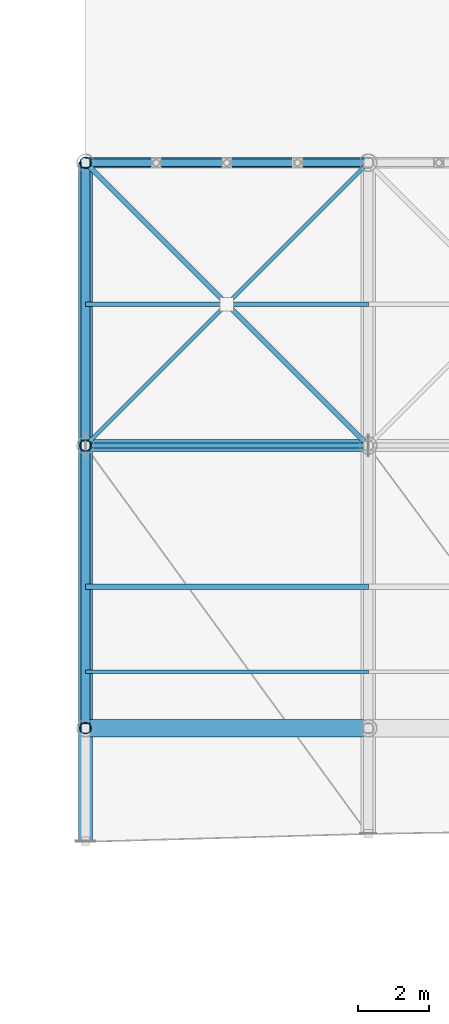
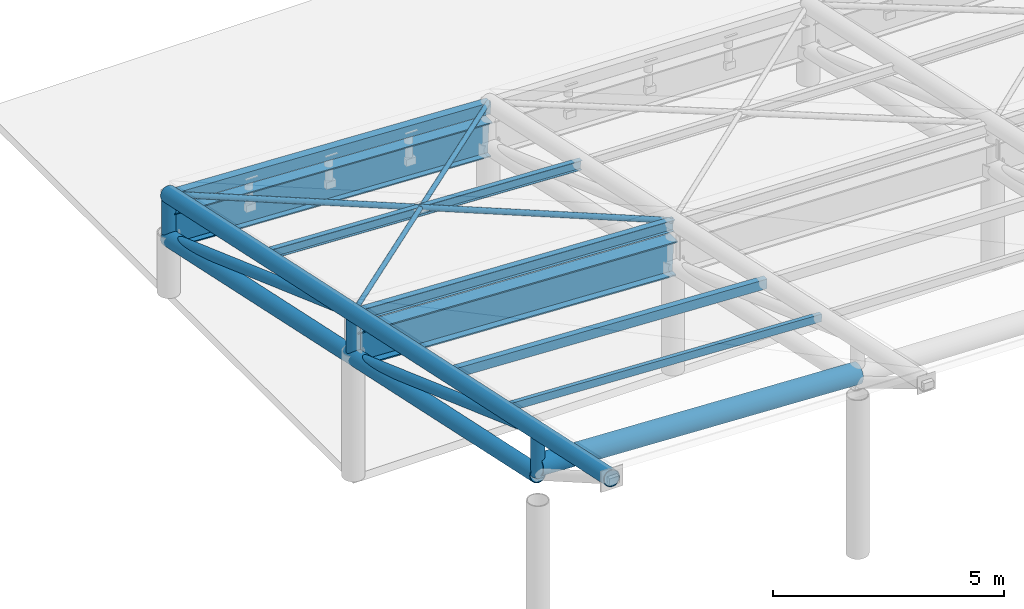
# One storey, part 15 of 54: 14 members, 4 beams.
"""IFC4 building model written with IfcOpenShell, lengths in metres."""

from ifc_helpers import new_model, si_unit, direction, frame, origin, origin_2d, place, context, subcontext, project, spatial, hollow_rectangle, hollow_circle, i_section, extrude, material, material_profile, profile_set, type_object, element, save


model = new_model("IFC4")

# Units and contexts
model_context = context("Model", 3, precision=1e-05, world=origin(), true_north=direction((0.0, 1.0)))
body_context = subcontext(model_context, "Body", "Model", "MODEL_VIEW")
ifc_project = project(units=[si_unit("LENGTHUNIT", "METRE"), si_unit("AREAUNIT", "SQUARE_METRE"), si_unit("VOLUMEUNIT", "CUBIC_METRE"), si_unit("PLANEANGLEUNIT", "RADIAN"), si_unit("MASSUNIT", "GRAM", prefix="KILO")], contexts=[model_context])

# Site, building, storey
site_placement = place(None, origin())
site = spatial("IfcSite", under=ifc_project, at=site_placement, CompositionType="ELEMENT")
building_placement = place(site_placement, origin())
building = spatial("IfcBuilding", under=site, at=building_placement, Name="Haebicheon Civic Stadium", CompositionType="ELEMENT")
storey_placement = place(building_placement, frame((0.0, 0.0, 22.800048828125)))
storey = spatial("IfcBuildingStorey", under=building, at=storey_placement, Name="L06", CompositionType="ELEMENT", Elevation=22.800048828125)

# Members
ifc_material_1 = material(Name="White painted steel SM490", Category="steel")
ifc_material_profile_1 = material_profile(ifc_material_1, hollow_circle(Radius=0.05712890625, WallThickness=0.006103515625, at=origin_2d()), Name="CHS-114.3x6.0")
ifc_profile_set_1 = profile_set([ifc_material_profile_1], Name="White painted steel SM490")
member_type_1 = type_object("IfcMemberType", Name="BRC-CHS114", PredefinedType="BRACE", material=ifc_profile_set_1)
member_1_placement = place(storey_placement, frame((88.0, 160.0, 2.219970703125), z_axis=(-0.695383883673, -0.695383883673, 0.181335348613), x_axis=(0.707106781187, -0.707106781187, 0.0)))
element("IfcMember", 1, at=member_1_placement, inside=storey, type_object=member_type_1, material=ifc_profile_set_1, Name="BR114 diagonal brace CAN-NORTH canopy bay 1 B1", PredefinedType="BRACE", context=body_context, shape_type="SweptSolid", body=[
    extrude(hollow_circle(Radius=0.05712890625, WallThickness=0.006103515625, at=origin_2d()), origin(), (0.0, 0.0, 1.0), 5.68017578125),
])
member_2_placement = place(storey_placement, frame((83.949951171875, 155.949951171875, 3.27587890625), z_axis=(-0.695362195371, -0.695362195371, 0.181501610177), x_axis=(0.707106781187, -0.707106781187, 0.0)))
element("IfcMember", 2, at=member_2_placement, inside=storey, type_object=member_type_1, material=ifc_profile_set_1, Name="BR114 diagonal brace CAN-NORTH canopy bay 1 B2", PredefinedType="BRACE", context=body_context, shape_type="SweptSolid", body=[
    extrude(hollow_circle(Radius=0.05712890625, WallThickness=0.006103515625, at=origin_2d()), origin(), (0.0, 0.0, 1.0), 5.680419921875),
])
ifc_material_2 = material(Name="White painted steel SM490", Category="steel")
ifc_material_profile_2 = material_profile(ifc_material_2, hollow_circle(Radius=0.06982421875, WallThickness=0.006591796875, at=origin_2d()), Name="CHS-139.8x6.6")
ifc_profile_set_2 = profile_set([ifc_material_profile_2], Name="White painted steel SM490")
member_type_2 = type_object("IfcMemberType", Name="BRC-CHS139", PredefinedType="BRACE", material=ifc_profile_set_2)
member_3_placement = place(storey_placement, frame((80.0, 160.0, 2.5869140625), z_axis=(0.702103787927, -0.702103787927, 0.118745702902), x_axis=(0.707106781187, 0.707106781187, 0.0)))
element("IfcMember", 3, at=member_3_placement, inside=storey, type_object=member_type_2, material=ifc_profile_set_2, Name="BR139 diagonal brace CAN-NORTH canopy bay 1 A", PredefinedType="BRACE", context=body_context, shape_type="SweptSolid", body=[
    extrude(hollow_circle(Radius=0.06982421875, WallThickness=0.006591796875, at=origin_2d()), origin(), (0.0, 0.0, 1.0), 11.394287109375),
])
ifc_material_3 = material(Name="White painted steel SM490", Category="steel")
ifc_material_profile_3 = material_profile(ifc_material_3, hollow_circle(Radius=0.1337890625, WallThickness=0.011962890625, at=origin_2d()), Name="CHS-267.4x12.0")
ifc_profile_set_3 = profile_set([ifc_material_profile_3], Name="White painted steel SM490")
member_type_3 = type_object("IfcMemberType", Name="BRC-CHS267", PredefinedType="BRACE", material=ifc_profile_set_3)
for number, where, z_axis, x_axis, name in (
    (4, (80.0, 160.0, 1.43701171875), (0.0, -0.9412665544, 0.3376644393), (1.0, 0.0, 0.0), "BR267 diagonal brace CAN-NORTH truss 1 D1"),
    (5, (80.0, 152.0, 3.156982421875), (0.0, -0.9412665544, 0.3376644393), (1.0, 0.0, 0.0), "BR267 diagonal brace CAN-NORTH truss 1 D2"),
):
    element("IfcMember", number, at=place(storey_placement, frame(where, z_axis=z_axis, x_axis=x_axis)), inside=storey, type_object=member_type_3, material=ifc_profile_set_3, Name=name, PredefinedType="BRACE", context=body_context, shape_type="SweptSolid", body=[
        extrude(hollow_circle(Radius=0.1337890625, WallThickness=0.011962890625, at=origin_2d()), origin(), (0.0, 0.0, 1.0), 8.499267578125),
    ])
ifc_material_4 = material(Name="White painted steel SM490", Category="steel")
ifc_material_profile_4 = material_profile(ifc_material_4, hollow_circle(Radius=0.203125, WallThickness=0.01806640625, at=origin_2d()), Name="CHS-406.4x18.0")
ifc_profile_set_4 = profile_set([ifc_material_profile_4], Name="White painted steel SM490")
member_type_4 = type_object("IfcMemberType", Name="CHD-CHS406", PredefinedType="CHORD", material=ifc_profile_set_4)
member_4_placement = place(storey_placement, frame((80.0, 160.0, 2.5869140625), z_axis=(0.0, -0.977659739959, 0.210193798345), x_axis=(1.0, 0.0, 0.0)))
element("IfcMember", 6, at=member_4_placement, inside=storey, type_object=member_type_4, material=ifc_profile_set_4, Name="CH406 truss chord CAN-NORTH 1 top", PredefinedType="CHORD", context=body_context, shape_type="SweptSolid", body=[
    extrude(hollow_circle(Radius=0.203125, WallThickness=0.01806640625, at=origin_2d()), origin(), (0.0, 0.0, 1.0), 19.638671875),
])
member_5_placement = place(storey_placement, frame((80.0, 160.0, 1.43701171875), z_axis=(0.0, -0.977659849808, 0.210193287411), x_axis=(1.0, 0.0, 0.0)))
element("IfcMember", 7, at=member_5_placement, inside=storey, type_object=member_type_4, material=ifc_profile_set_4, Name="CH406 truss chord CAN-NORTH 1 bottom", PredefinedType="CHORD", context=body_context, shape_type="SweptSolid", body=[
    extrude(hollow_circle(Radius=0.203125, WallThickness=0.01806640625, at=origin_2d()), origin(), (0.0, 0.0, 1.0), 16.36572265625),
])
ifc_material_5 = material(Name="White painted steel SM490", Category="steel")
ifc_material_profile_5 = material_profile(ifc_material_5, hollow_rectangle(XDim=0.10009765625, YDim=0.199951171875, WallThickness=0.008056640625, at=origin_2d()), Name="RHS-200x100x8.0")
ifc_profile_set_5 = profile_set([ifc_material_profile_5], Name="White painted steel SM490")
member_type_5 = type_object("IfcMemberType", Name="PRL-RHS200", PredefinedType="RAFTER", material=ifc_profile_set_5)
member_6_placement = place(storey_placement, frame((80.0, 145.60009765625, 5.640869140625), z_axis=(0.998949723901, 0.0, -0.045819745942), x_axis=(0.0, 1.0, 0.0)))
element("IfcMember", 8, at=member_6_placement, inside=storey, type_object=member_type_5, material=ifc_profile_set_5, Name="CAN-NORTH canopy purlin bay 1 (90%)", PredefinedType="RAFTER", context=body_context, shape_type="SweptSolid", body=[
    extrude(hollow_rectangle(XDim=0.10009765625, YDim=0.199951171875, WallThickness=0.008056640625, at=origin_2d()), origin(), (0.0, 0.0, 1.0), 8.00830078125),
])
ifc_material_6 = material(Name="White painted steel SM490", Category="steel")
ifc_material_profile_6 = material_profile(ifc_material_6, hollow_rectangle(XDim=0.14990234375, YDim=0.25, WallThickness=0.010009765625, at=origin_2d()), Name="RHS-250x150x10.0")
ifc_profile_set_6 = profile_set([ifc_material_profile_6], Name="White painted steel SM490")
member_type_6 = type_object("IfcMemberType", Name="PRL-RHS250", PredefinedType="PURLIN", material=ifc_profile_set_6)
member_7_placement = place(storey_placement, frame((80.0, 148.0, 5.099853515625), z_axis=(0.998949723901, 0.0, -0.045819745942), x_axis=(0.0, 1.0, 0.0)))
element("IfcMember", 9, at=member_7_placement, inside=storey, type_object=member_type_6, material=ifc_profile_set_6, Name="CAN-NORTH canopy purlin bay 1 (75%)", PredefinedType="PURLIN", context=body_context, shape_type="SweptSolid", body=[
    extrude(hollow_rectangle(XDim=0.14990234375, YDim=0.25, WallThickness=0.010009765625, at=origin_2d()), origin(), (0.0, 0.0, 1.0), 8.00830078125),
])
ifc_material_7 = material(Name="White painted steel SM490", Category="steel")
ifc_material_profile_7 = material_profile(ifc_material_7, i_section(OverallWidth=0.125, OverallDepth=0.25, WebThickness=0.006103515625, FlangeThickness=0.009033203125, at=origin_2d()), Name="H-250x125x6x9")
ifc_profile_set_7 = profile_set([ifc_material_profile_7], Name="White painted steel SM490")
member_type_7 = type_object("IfcMemberType", Name="PRL-ST-H250", PredefinedType="PURLIN", material=ifc_profile_set_7)
member_8_placement = place(storey_placement, frame((80.0, 156.0, 3.3798828125), z_axis=(0.998949723901, 0.0, -0.045819745942), x_axis=(0.0, 1.0, 0.0)))
element("IfcMember", 10, at=member_8_placement, inside=storey, type_object=member_type_7, material=ifc_profile_set_7, Name="CAN-NORTH canopy purlin bay 1 (25%)", PredefinedType="PURLIN", context=body_context, shape_type="SweptSolid", body=[
    extrude(i_section(OverallWidth=0.125, OverallDepth=0.25, WebThickness=0.006103515625, FlangeThickness=0.009033203125, at=origin_2d()), origin(), (0.0, 0.0, 1.0), 8.00830078125),
])
ifc_material_8 = material(Name="White painted steel SM490", Category="steel")
ifc_material_profile_8 = material_profile(ifc_material_8, i_section(OverallWidth=0.14990234375, OverallDepth=0.300048828125, WebThickness=0.006591796875, FlangeThickness=0.009033203125, at=origin_2d()), Name="H-300x150x6.5x9")
ifc_profile_set_8 = profile_set([ifc_material_profile_8], Name="White painted steel SM490")
member_type_8 = type_object("IfcMemberType", Name="PRL-ST-H300", PredefinedType="PURLIN", material=ifc_profile_set_8)
member_9_placement = place(storey_placement, frame((80.0, 152.0, 4.21484375), z_axis=(0.998949723901, 0.0, -0.045819745942), x_axis=(0.0, 1.0, 0.0)))
element("IfcMember", 11, at=member_9_placement, inside=storey, type_object=member_type_8, material=ifc_profile_set_8, Name="CAN-NORTH canopy purlin bay 1 (50%)", PredefinedType="PURLIN", context=body_context, shape_type="SweptSolid", body=[
    extrude(i_section(OverallWidth=0.14990234375, OverallDepth=0.300048828125, WebThickness=0.006591796875, FlangeThickness=0.009033203125, at=origin_2d()), origin(), (0.0, 0.0, 1.0), 8.00830078125),
])

# Beams
ifc_material_9 = material(Name="White painted steel SM490", Category="steel")
ifc_material_profile_9 = material_profile(ifc_material_9, hollow_circle(Radius=0.25390625, WallThickness=0.02490234375, at=origin_2d()), Name="CHS-508.0x25.0")
ifc_profile_set_9 = profile_set([ifc_material_profile_9], Name="White painted steel SM490")
beam_type_1 = type_object("IfcBeamType", Name="RB-ST-CHS508", PredefinedType="USERDEFINED", material=ifc_profile_set_9)
beam_1_placement = place(storey_placement, frame((80.0, 144.0, 5.126953125), z_axis=(0.998949723901, 0.0, -0.045819745942), x_axis=(0.0, 1.0, 0.0)))
element("IfcBeam", 12, at=beam_1_placement, inside=storey, type_object=beam_type_1, material=ifc_profile_set_9, Name="CAN-NORTH polygonal ring beam RB-PIR bay 1", ObjectType="RING BEAM", PredefinedType="USERDEFINED", context=body_context, shape_type="SweptSolid", body=[
    extrude(hollow_circle(Radius=0.25390625, WallThickness=0.02490234375, at=origin_2d()), origin(), (0.0, 0.0, 1.0), 8.00830078125),
])
ifc_material_10 = material(Name="White painted steel SM490", Category="steel")
ifc_material_profile_10 = material_profile(ifc_material_10, i_section(OverallWidth=0.35009765625, OverallDepth=0.89990234375, WebThickness=0.01806640625, FlangeThickness=0.031982421875, at=origin_2d()), Name="H-900x350x18x32")
ifc_profile_set_10 = profile_set([ifc_material_profile_10], Name="White painted steel SM490")
beam_type_2 = type_object("IfcBeamType", Name="RB-ST-H900A", PredefinedType="USERDEFINED", material=ifc_profile_set_10)
beam_2_placement = place(storey_placement, frame((80.0, 152.0, 3.406982421875), z_axis=(0.998949723901, 0.0, -0.045819745942), x_axis=(0.0, 1.0, 0.0)))
element("IfcBeam", 13, at=beam_2_placement, inside=storey, type_object=beam_type_2, material=ifc_profile_set_10, Name="CAN-NORTH polygonal ring beam RB-PIV bay 1", ObjectType="RING BEAM", PredefinedType="USERDEFINED", context=body_context, shape_type="SweptSolid", body=[
    extrude(i_section(OverallWidth=0.35009765625, OverallDepth=0.89990234375, WebThickness=0.01806640625, FlangeThickness=0.031982421875, at=origin_2d()), origin(), (0.0, 0.0, 1.0), 8.00830078125),
])
ifc_material_11 = material(Name="White painted steel SM490", Category="steel")
ifc_material_profile_11 = material_profile(ifc_material_11, i_section(OverallWidth=0.300048828125, OverallDepth=0.89990234375, WebThickness=0.01611328125, FlangeThickness=0.028076171875, at=origin_2d()), Name="H-900x300x16x28")
ifc_profile_set_11 = profile_set([ifc_material_profile_11], Name="White painted steel SM490")
beam_type_3 = type_object("IfcBeamType", Name="RB-ST-H900B", PredefinedType="USERDEFINED", material=ifc_profile_set_11)
beam_3_placement = place(storey_placement, frame((80.0, 160.0, 1.68701171875), z_axis=(0.998949723901, 0.0, -0.045819745942), x_axis=(0.0, 1.0, 0.0)))
element("IfcBeam", 14, at=beam_3_placement, inside=storey, type_object=beam_type_3, material=ifc_profile_set_11, Name="CAN-NORTH polygonal ring beam RB-BCK bay 1", ObjectType="RING BEAM", PredefinedType="USERDEFINED", context=body_context, shape_type="SweptSolid", body=[
    extrude(i_section(OverallWidth=0.300048828125, OverallDepth=0.89990234375, WebThickness=0.01611328125, FlangeThickness=0.028076171875, at=origin_2d()), origin(), (0.0, 0.0, 1.0), 8.00830078125),
])
ifc_material_12 = material(Name="White painted steel SM490", Category="steel")
ifc_material_profile_12 = material_profile(ifc_material_12, hollow_rectangle(XDim=0.199951171875, YDim=0.300048828125, WallThickness=0.011962890625, at=origin_2d()), Name="RHS-300x200x12.0")
ifc_profile_set_12 = profile_set([ifc_material_profile_12], Name="White painted steel SM490")
beam_type_4 = type_object("IfcBeamType", Name="RB-ST-RHS300", PredefinedType="USERDEFINED", material=ifc_profile_set_12)
beam_4_placement = place(storey_placement, frame((80.0, 160.0, 2.487060546875), z_axis=(0.998948328068, 0.0, -0.045850167402), x_axis=(0.0, 1.0, 0.0)))
element("IfcBeam", 15, at=beam_4_placement, inside=storey, type_object=beam_type_4, material=ifc_profile_set_12, Name="CAN-NORTH polygonal ring beam RB-TOP bay 1", ObjectType="RING BEAM", PredefinedType="USERDEFINED", context=body_context, shape_type="SweptSolid", body=[
    extrude(hollow_rectangle(XDim=0.199951171875, YDim=0.300048828125, WallThickness=0.011962890625, at=origin_2d()), origin(), (0.0, 0.0, 1.0), 8.00830078125),
])

# Members
ifc_material_13 = material(Name="White painted steel SM490", Category="steel")
ifc_material_profile_13 = material_profile(ifc_material_13, hollow_circle(Radius=0.1591796875, WallThickness=0.013916015625, at=origin_2d()), Name="CHS-318.5x14.0")
ifc_profile_set_13 = profile_set([ifc_material_profile_13], Name="White painted steel SM490")
member_type_9 = type_object("IfcMemberType", Name="STR-CHS318", PredefinedType="STRUT", material=ifc_profile_set_13)
for number, where, z_axis, x_axis, name in (
    (16, (80.0, 160.0, 1.43701171875), (0.0, 0.0, 1.0), (1.0, 0.0, 0.0), "ST318 web strut CAN-NORTH truss 1 VB"),
    (17, (80.0, 152.0, 3.156982421875), (0.0, 0.0, 1.0), (1.0, 0.0, 0.0), "ST318 web strut CAN-NORTH truss 1 VP"),
    (18, (80.0, 144.0, 4.876953125), (0.0, 0.0, 1.0), (1.0, 0.0, 0.0), "ST318 web strut CAN-NORTH truss 1 VR"),
):
    element("IfcMember", number, at=place(storey_placement, frame(where, z_axis=z_axis, x_axis=x_axis)), inside=storey, type_object=member_type_9, material=ifc_profile_set_13, Name=name, PredefinedType="STRUT", context=body_context, shape_type="SweptSolid", body=[
        extrude(hollow_circle(Radius=0.1591796875, WallThickness=0.013916015625, at=origin_2d()), origin(), (0.0, 0.0, 1.0), 1.14990234375),
    ])

save(model, "model.ifc")
